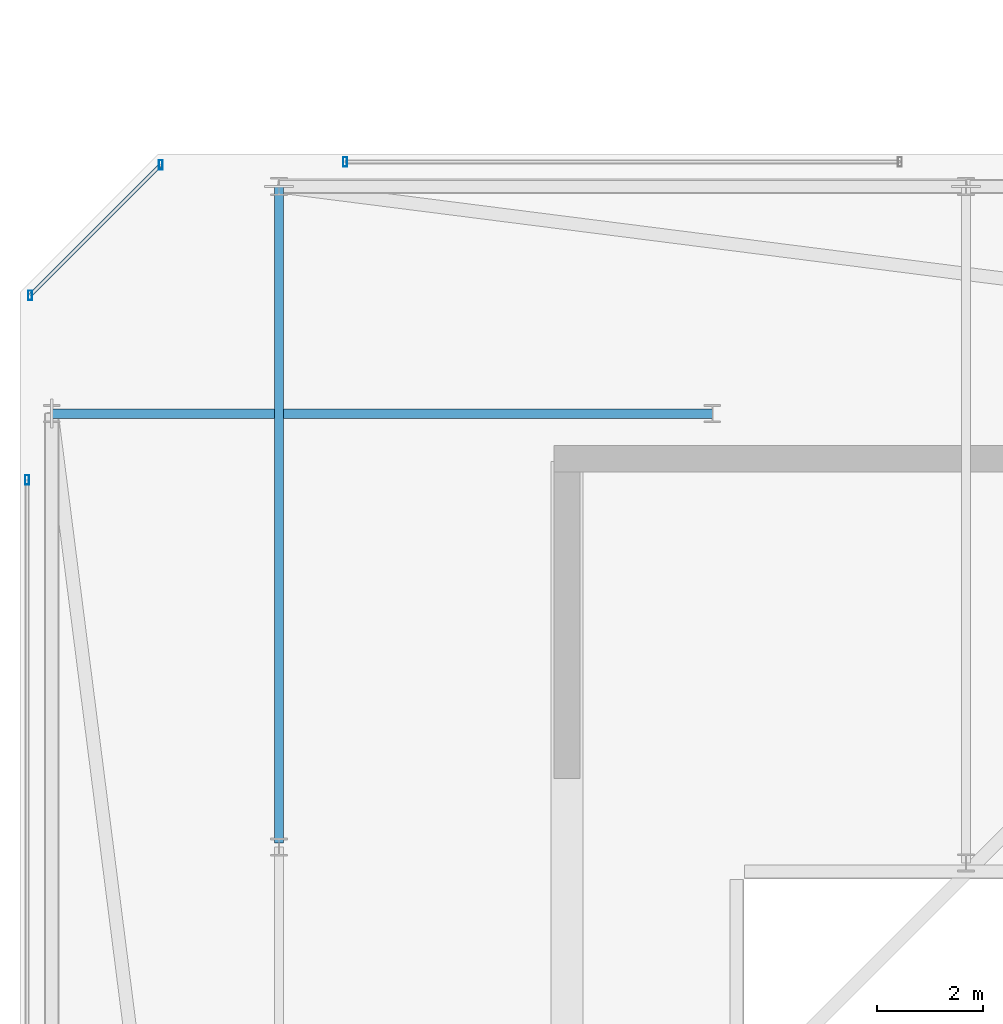
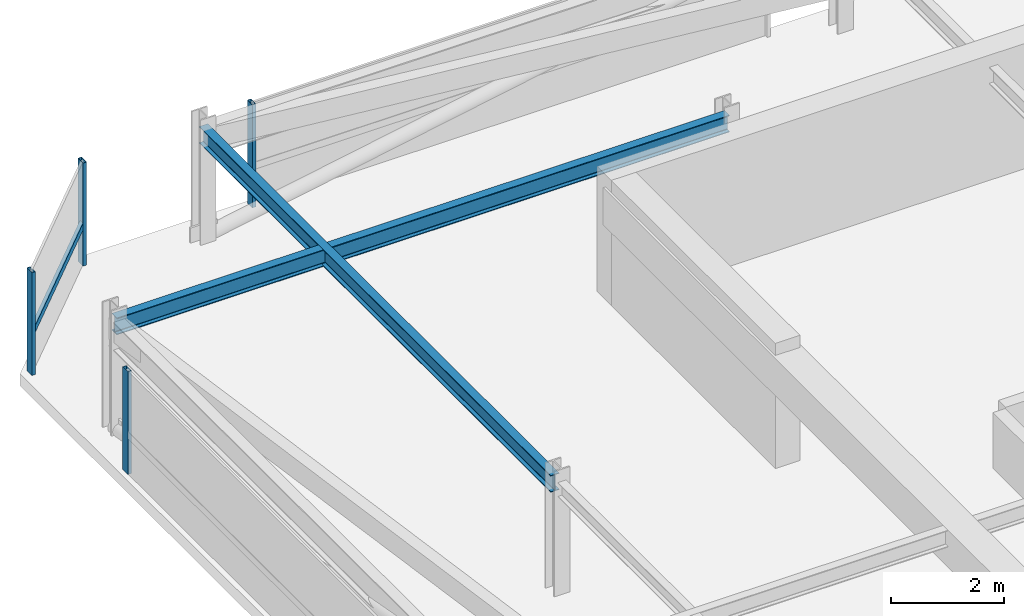
# One storey, part 22 of 42: 5 members, 2 beams, 3 elements without a shape of their own.
"""IFC4 building model written with IfcOpenShell, lengths in metres."""

from ifc_helpers import new_model, si_unit, direction, frame, origin, origin_2d, place, context, subcontext, project, spatial, hollow_rectangle, i_section, extrude, material, material_profile, profile_set, type_object, element, aggregate, save


model = new_model("IFC4")

# Units and contexts
model_context = context("Model", 3, precision=1e-05, world=origin(), true_north=direction((0.0, 1.0)))
body_context = subcontext(model_context, "Body", "Model", "MODEL_VIEW")
ifc_project = project(units=[si_unit("LENGTHUNIT", "METRE"), si_unit("AREAUNIT", "SQUARE_METRE"), si_unit("VOLUMEUNIT", "CUBIC_METRE"), si_unit("PLANEANGLEUNIT", "RADIAN"), si_unit("MASSUNIT", "GRAM", prefix="KILO")], contexts=[model_context])

# Site, building, storey
site_placement = place(None, origin())
site = spatial("IfcSite", under=ifc_project, at=site_placement, CompositionType="ELEMENT")
building_placement = place(site_placement, origin())
building = spatial("IfcBuilding", under=site, at=building_placement, Name="Thornwick Lancets Civic Towers", CompositionType="ELEMENT")
storey_placement = place(building_placement, frame((0.0, 0.0, 286.800048828125)))
storey = spatial("IfcBuildingStorey", under=building, at=storey_placement, Name="C03", CompositionType="ELEMENT", Elevation=286.800048828125)

# Beams
ifc_material_1 = material(Name="Steel S355JR", Category="steel")
ifc_material_profile_1 = material_profile(ifc_material_1, i_section(OverallWidth=0.173095703125, OverallDepth=0.36328125, WebThickness=0.009033203125, FlangeThickness=0.015625, FilletRadius=0.01025390625, at=origin_2d()), Name="UKB 356x171x67")
ifc_profile_set_1 = profile_set([ifc_material_profile_1], Name="Steel S355JR")
beam_type = type_object("IfcBeamType", Name="BM_JOIST_356_67", PredefinedType="JOIST", material=ifc_profile_set_1)
beam_1_placement = place(storey_placement, frame((12.5, 31.8798828125, 2.25830078125), z_axis=(0.0, 1.0, 0.0), x_axis=(-1.0, 0.0, 0.0)))
element("IfcBeam", 1, at=beam_1_placement, inside=storey, type_object=beam_type, Name="BM-RADIN-C03-A07", PredefinedType="JOIST", context=body_context, shape_type="SweptSolid", body=[
    extrude(i_section(OverallWidth=0.173095703125, OverallDepth=0.36328125, WebThickness=0.009033203125, FlangeThickness=0.015625, FilletRadius=0.01025390625, at=origin_2d()), origin(), (0.0, 0.0, 1.0), 12.420166015625),
])
beam_2_placement = place(storey_placement, frame((20.699951171875, 40.0, 2.25830078125), z_axis=(-1.0, 0.0, 0.0), x_axis=(0.0, -1.0, 0.0)))
element("IfcBeam", 2, at=beam_2_placement, inside=storey, type_object=beam_type, Name="BM-RADIN-C03-A12", PredefinedType="JOIST", context=body_context, shape_type="SweptSolid", body=[
    extrude(i_section(OverallWidth=0.173095703125, OverallDepth=0.36328125, WebThickness=0.009033203125, FlangeThickness=0.015625, FilletRadius=0.01025390625, at=origin_2d()), origin(), (0.0, 0.0, 1.0), 12.5),
])

# Curtain wall, member
ifc_material_2 = material(Name="Crown ring acoustic-louvre and glazing screen wall", Category="glass")
curtain_wall_type = type_object("IfcCurtainWallType", Name="CW_SYS_07", PredefinedType="NOTDEFINED", material=ifc_material_2)
curtain_wall_1_placement = place(storey_placement, origin())
curtain_wall_1 = element("IfcCurtainWall", 3, at=curtain_wall_1_placement, inside=storey, type_object=curtain_wall_type, Name="C03 Curtain Wall CW-C03-A-E4-S3", PredefinedType="NOTDEFINED")
ifc_material_3 = material(Name="Thermally broken bronze aluminium S355", Category="steel")
ifc_material_profile_2 = material_profile(ifc_material_3, hollow_rectangle(XDim=0.074951171875, YDim=0.179931640625, WallThickness=0.006103515625, at=origin_2d()), Name="RHS 180x75x6")
ifc_profile_set_2 = profile_set([ifc_material_profile_2], Name="Thermally broken bronze aluminium S355")
member_type_1 = type_object("IfcMemberType", Name="CW_MUL_180", PredefinedType="MULLION", material=ifc_profile_set_2)
member_1_placement = place(storey_placement, frame((13.75, 44.7646484375, 0.0), z_axis=(0.0, 0.0, 1.0), x_axis=(1.0, 0.0, 0.0)))
member_1 = element("IfcMember", 4, at=member_1_placement, type_object=member_type_1, Name="CW-C03-A-E4-S3 Mullion 1", PredefinedType="MULLION", context=body_context, shape_type="SweptSolid", body=[
    extrude(hollow_rectangle(XDim=0.074951171875, YDim=0.179931640625, WallThickness=0.006103515625, at=origin_2d()), origin(), (0.0, 0.0, 1.0), 2.219970703125),
])
aggregate(curtain_wall_1, [member_1])

# Curtain wall, members
curtain_wall_2_placement = place(storey_placement, origin())
curtain_wall_2 = element("IfcCurtainWall", 5, at=curtain_wall_2_placement, inside=storey, type_object=curtain_wall_type, Name="C03 Curtain Wall CW-C03-A-E5", PredefinedType="NOTDEFINED")
member_2_placement = place(storey_placement, frame((10.261962890625, 44.7080078125, 0.0), z_axis=(0.0, 0.0, 1.0), x_axis=(1.0, 0.0, 0.0)))
member_2 = element("IfcMember", 6, at=member_2_placement, type_object=member_type_1, Name="CW-C03-A-E5 Mullion 0", PredefinedType="MULLION", context=body_context, shape_type="SweptSolid", body=[
    extrude(hollow_rectangle(XDim=0.074951171875, YDim=0.179931640625, WallThickness=0.006103515625, at=origin_2d()), origin(), (0.0, 0.0, 1.0), 2.219970703125),
])
member_3_placement = place(storey_placement, frame((7.7919921875, 42.238037109375, 0.0), z_axis=(0.0, 0.0, 1.0), x_axis=(1.0, 0.0, 0.0)))
member_3 = element("IfcMember", 7, at=member_3_placement, type_object=member_type_1, Name="CW-C03-A-E5 Mullion 1", PredefinedType="MULLION", context=body_context, shape_type="SweptSolid", body=[
    extrude(hollow_rectangle(XDim=0.074951171875, YDim=0.179931640625, WallThickness=0.006103515625, at=origin_2d()), origin(), (0.0, 0.0, 1.0), 2.219970703125),
])

# Curtain wall, member
curtain_wall_3_placement = place(storey_placement, origin())
curtain_wall_3 = element("IfcCurtainWall", 8, at=curtain_wall_3_placement, inside=storey, type_object=curtain_wall_type, Name="C03 Curtain Wall CW-C03-A-E6-S1", PredefinedType="NOTDEFINED")
member_4_placement = place(storey_placement, frame((7.7353515625, 38.75, 0.0), z_axis=(0.0, 0.0, 1.0), x_axis=(1.0, 0.0, 0.0)))
member_4 = element("IfcMember", 9, at=member_4_placement, type_object=member_type_1, Name="CW-C03-A-E6-S1 Mullion 0", PredefinedType="MULLION", context=body_context, shape_type="SweptSolid", body=[
    extrude(hollow_rectangle(XDim=0.074951171875, YDim=0.179931640625, WallThickness=0.006103515625, at=origin_2d()), origin(), (0.0, 0.0, 1.0), 2.219970703125),
])
aggregate(curtain_wall_3, [member_4])

# Member
ifc_material_profile_3 = material_profile(ifc_material_3, hollow_rectangle(XDim=0.074951171875, YDim=0.14990234375, WallThickness=0.0048828125, at=origin_2d()), Name="RHS 150x75x5")
ifc_profile_set_3 = profile_set([ifc_material_profile_3], Name="Thermally broken bronze aluminium S355")
member_type_2 = type_object("IfcMemberType", Name="CW_TRN_150", PredefinedType="USERDEFINED", material=ifc_profile_set_3)
member_5_placement = place(storey_placement, frame((10.247802734375, 44.69384765625, 0.849853515625), z_axis=(-0.707106781187, -0.707106781187, 0.0), x_axis=(0.707106781187, -0.707106781187, 0.0)))
member_5 = element("IfcMember", 10, at=member_5_placement, type_object=member_type_2, Name="CW-C03-A-E5 Transom 0", ObjectType="TRANSOM", PredefinedType="USERDEFINED", context=body_context, shape_type="SweptSolid", body=[
    extrude(hollow_rectangle(XDim=0.074951171875, YDim=0.14990234375, WallThickness=0.0048828125, at=origin_2d()), origin(), (0.0, 0.0, 1.0), 3.453125),
])

aggregate(curtain_wall_2, [member_2, member_3, member_5])

save(model, "model.ifc")
